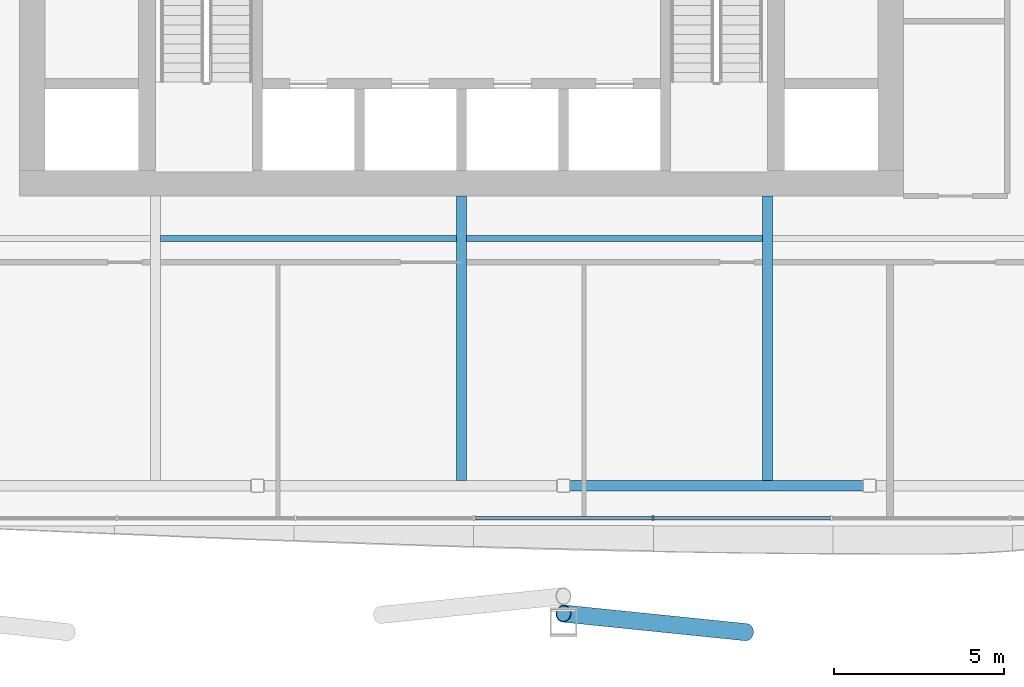
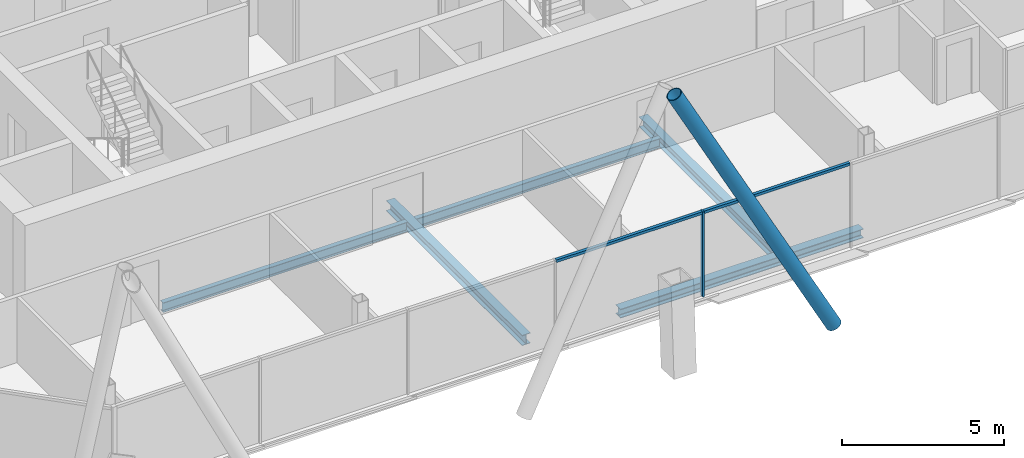
# One storey, part 5 of 20: 5 beams, 4 members, 1 element without a shape of its own.
"""IFC4 building model written with IfcOpenShell, lengths in metres."""

from ifc_helpers import new_model, si_unit, direction, frame, origin, origin_2d, place, context, subcontext, project, spatial, rectangle, hollow_circle, i_section, extrude, material, material_profile, profile_set, type_object, element, aggregate, save


model = new_model("IFC4")

# Units and contexts
model_context = context("Model", 3, precision=1e-05, world=origin(), true_north=direction((0.0, 1.0)))
body_context = subcontext(model_context, "Body", "Model", "MODEL_VIEW")
ifc_project = project(units=[si_unit("LENGTHUNIT", "METRE"), si_unit("AREAUNIT", "SQUARE_METRE"), si_unit("VOLUMEUNIT", "CUBIC_METRE"), si_unit("PLANEANGLEUNIT", "RADIAN"), si_unit("MASSUNIT", "GRAM", prefix="KILO")], contexts=[model_context])

# Site, building, storey
site_placement = place(None, origin())
site = spatial("IfcSite", under=ifc_project, at=site_placement, CompositionType="ELEMENT")
building_placement = place(site_placement, origin())
building = spatial("IfcBuilding", under=site, at=building_placement, Name="Tskaro Facet Tower", CompositionType="ELEMENT")
storey_placement = place(building_placement, frame((0.0, 0.0, 152.10009765625)))
storey = spatial("IfcBuildingStorey", under=building, at=storey_placement, Name="L37", CompositionType="ELEMENT", Elevation=152.10009765625)

# Member
ifc_material_1 = material(Name="Steel S355J2H", Category="steel")
ifc_material_profile_1 = material_profile(ifc_material_1, hollow_circle(Radius=0.25390625, WallThickness=0.02490234375, at=origin_2d()), Name="CHS 508x25")
ifc_profile_set_1 = profile_set([ifc_material_profile_1], Name="Steel S355J2H")
member_type_1 = type_object("IfcMemberType", Name="CHS 508x25 brace", PredefinedType="BRACE", material=ifc_profile_set_1)
member_1_placement = place(storey_placement, frame((8.36279296875, -25.07763671875, 0.0), z_axis=(-0.464841154479, 0.047466025198, 0.884120850085), x_axis=(-0.101584123416, -0.994826952726, 0.0)))
element("IfcMember", 1, at=member_1_placement, inside=storey, type_object=member_type_1, Name="CHS 508x25 XB02B/3", PredefinedType="BRACE", context=body_context, shape_type="SweptSolid", body=[
    extrude(hollow_circle(Radius=0.25390625, WallThickness=0.02490234375, at=origin_2d()), origin(), (0.0, 0.0, 1.0), 11.536865234375),
])

# Curtain wall, members
ifc_material_2 = material(Name="Bronze anodised aluminium 6063-T6", Category="aluminium")
curtain_wall_type = type_object("IfcCurtainWallType", Name="Bronze hotel curtain wall (FW2)", PredefinedType="NOTDEFINED", material=ifc_material_2)
curtain_wall_placement = place(storey_placement, origin())
curtain_wall = element("IfcCurtainWall", 2, at=curtain_wall_placement, inside=storey, type_object=curtain_wall_type, Name="FW2 south facet L37", PredefinedType="NOTDEFINED")
ifc_material_profile_2 = material_profile(ifc_material_2, rectangle(XDim=0.06005859375, YDim=0.14990234375, at=origin_2d()), Name="Mullion 60x150")
ifc_profile_set_2 = profile_set([ifc_material_profile_2], Name="Bronze anodised aluminium 6063-T6")
member_type_2 = type_object("IfcMemberType", Name="FW2 bronze mullion 60x150", PredefinedType="MULLION", material=ifc_profile_set_2)
member_2_placement = place(storey_placement, frame((5.62744140625, -21.72412109375, 0.0), z_axis=(0.0, 0.0, 1.0), x_axis=(1.0, 0.0, 0.0)))
member_2 = element("IfcMember", 3, at=member_2_placement, type_object=member_type_2, Name="FW2 south mullion 4", PredefinedType="MULLION", context=body_context, shape_type="SweptSolid", body=[
    extrude(rectangle(XDim=0.06005859375, YDim=0.14990234375, at=origin_2d()), origin(), (0.0, 0.0, 1.0), 3.199951171875),
])
ifc_material_profile_3 = material_profile(ifc_material_2, rectangle(XDim=0.110107421875, YDim=0.10009765625, at=origin_2d()), Name="Transom 110x100")
ifc_profile_set_3 = profile_set([ifc_material_profile_3], Name="Bronze anodised aluminium 6063-T6")
member_type_3 = type_object("IfcMemberType", Name="FW2 bronze transom 110x100", PredefinedType="USERDEFINED", material=ifc_profile_set_3)
member_3_placement = place(storey_placement, frame((0.402587890625, -21.72412109375, 3.14990234375), z_axis=(1.0, 0.0, 0.0), x_axis=(0.0, 1.0, 0.0)))
member_3 = element("IfcMember", 4, at=member_3_placement, type_object=member_type_3, Name="FW2 south transom 4.1", ObjectType="TRANSOM", PredefinedType="USERDEFINED", context=body_context, shape_type="SweptSolid", body=[
    extrude(rectangle(XDim=0.110107421875, YDim=0.10009765625, at=origin_2d()), origin(), (0.0, 0.0, 1.0), 5.19482421875),
])
member_4_placement = place(storey_placement, frame((5.657470703125, -21.72412109375, 3.14990234375), z_axis=(1.0, 0.0, 0.0), x_axis=(0.0, 1.0, 0.0)))
member_4 = element("IfcMember", 5, at=member_4_placement, type_object=member_type_3, Name="FW2 south transom 5.1", ObjectType="TRANSOM", PredefinedType="USERDEFINED", context=body_context, shape_type="SweptSolid", body=[
    extrude(rectangle(XDim=0.110107421875, YDim=0.10009765625, at=origin_2d()), origin(), (0.0, 0.0, 1.0), 5.19482421875),
])
aggregate(curtain_wall, [member_2, member_3, member_4])

# Beams
ifc_material_3 = material(Name="Steel S355J2", Category="steel")
ifc_material_profile_4 = material_profile(ifc_material_3, i_section(OverallWidth=0.300048828125, OverallDepth=0.340087890625, WebThickness=0.011962890625, FlangeThickness=0.021484375, FilletRadius=0.027099609375, at=origin_2d()), Name="HE 340 B")
ifc_profile_set_4 = profile_set([ifc_material_profile_4], Name="Steel S355J2")
beam_type_1 = type_object("IfcBeamType", Name="HE 340 B ring beam", PredefinedType="BEAM", material=ifc_profile_set_4)
beam_placement = place(storey_placement, frame((3.179931640625, -20.77392578125, -0.31005859375), z_axis=(1.0, 0.0, 0.0), x_axis=(0.0, 1.0, 0.0)))
element("IfcBeam", 6, at=beam_placement, inside=storey, type_object=beam_type_1, Name="HE 340 B EB3-3", PredefinedType="BEAM", context=body_context, shape_type="SweptSolid", body=[
    extrude(i_section(OverallWidth=0.300048828125, OverallDepth=0.340087890625, WebThickness=0.011962890625, FlangeThickness=0.021484375, FilletRadius=0.027099609375, at=origin_2d()), origin(), (0.0, 0.0, 1.0), 8.64013671875),
])
ifc_material_profile_5 = material_profile(ifc_material_3, i_section(OverallWidth=0.300048828125, OverallDepth=0.389892578125, WebThickness=0.010986328125, FlangeThickness=0.01904296875, FilletRadius=0.027099609375, at=origin_2d()), Name="HE 400 A")
ifc_profile_set_5 = profile_set([ifc_material_profile_5], Name="Steel S355J2")
beam_type_2 = type_object("IfcBeamType", Name="HE 400 A girder", PredefinedType="BEAM", material=ifc_profile_set_5)
for number, where, z_axis, x_axis, name in (
    (7, (0.0, -20.6240234375, -0.335205078125), (0.0, 1.0, 0.0), (-1.0, 0.0, 0.0), "HE 400 A GB4-1-3"),
    (8, (9.0, -20.6240234375, -0.335205078125), (0.0, 1.0, 0.0), (-1.0, 0.0, 0.0), "HE 400 A GB5-1-3"),
):
    element("IfcBeam", number, at=place(storey_placement, frame(where, z_axis=z_axis, x_axis=x_axis)), inside=storey, type_object=beam_type_2, Name=name, PredefinedType="BEAM", context=body_context, shape_type="SweptSolid", body=[
        extrude(i_section(OverallWidth=0.300048828125, OverallDepth=0.389892578125, WebThickness=0.010986328125, FlangeThickness=0.01904296875, FilletRadius=0.027099609375, at=origin_2d()), origin(), (0.0, 0.0, 1.0), 8.3740234375),
    ])
ifc_material_profile_6 = material_profile(ifc_material_3, i_section(OverallWidth=0.169921875, OverallDepth=0.360107421875, WebThickness=0.008056640625, FlangeThickness=0.0126953125, FilletRadius=0.01806640625, at=origin_2d()), Name="IPE 360")
ifc_profile_set_6 = profile_set([ifc_material_profile_6], Name="Steel S355J2")
beam_type_3 = type_object("IfcBeamType", Name="IPE 360 secondary beam", PredefinedType="BEAM", material=ifc_profile_set_6)
for number, where, z_axis, x_axis, name in (
    (9, (-8.85009765625, -13.5, -0.320068359375), (1.0, 0.0, 0.0), (0.0, 1.0, 0.0), "IPE 360 SB2a-2-3"),
    (10, (0.14990234375, -13.5, -0.320068359375), (1.0, 0.0, 0.0), (0.0, 1.0, 0.0), "IPE 360 SB2a-3-3"),
):
    element("IfcBeam", number, at=place(storey_placement, frame(where, z_axis=z_axis, x_axis=x_axis)), inside=storey, type_object=beam_type_3, Name=name, PredefinedType="BEAM", context=body_context, shape_type="SweptSolid", body=[
        extrude(i_section(OverallWidth=0.169921875, OverallDepth=0.360107421875, WebThickness=0.008056640625, FlangeThickness=0.0126953125, FilletRadius=0.01806640625, at=origin_2d()), origin(), (0.0, 0.0, 1.0), 8.7001953125),
    ])

save(model, "model.ifc")
